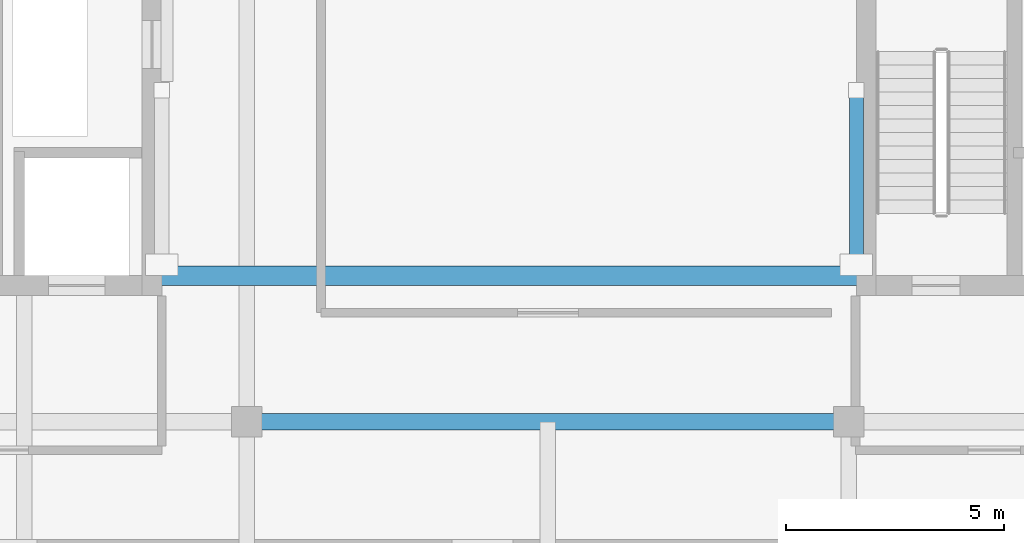
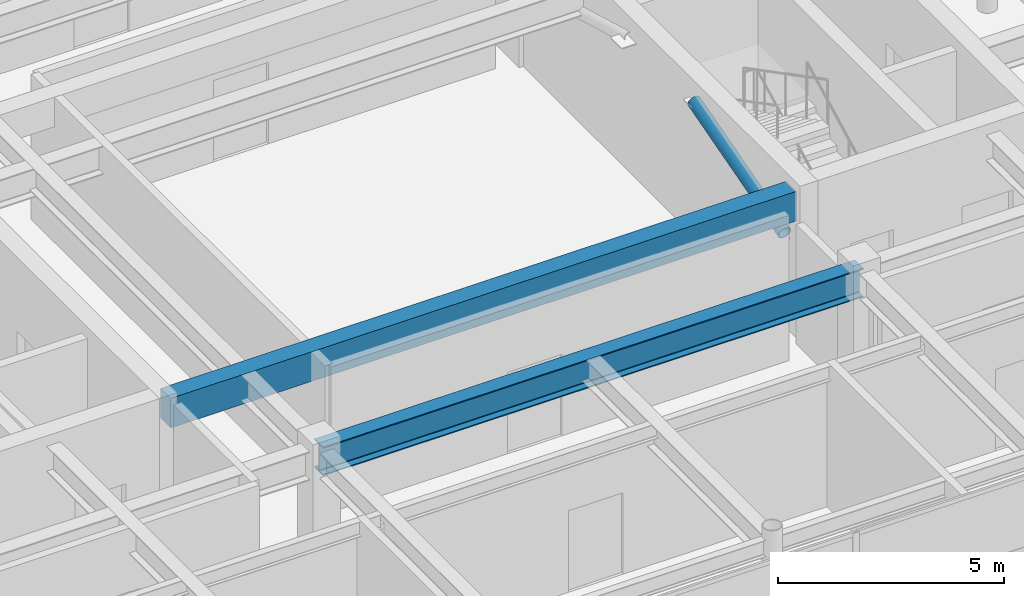
# One storey, part 10 of 33: 2 beams, 1 member.
"""IFC4 building model written with IfcOpenShell, lengths in metres."""

from ifc_helpers import new_model, si_unit, direction, frame, origin, origin_2d, place, context, subcontext, project, spatial, rectangle, hollow_circle, i_section, extrude, source, transform, mapped, material, material_profile, profile_set, type_object, element, save


model = new_model("IFC4")

# Units and contexts
model_context = context("Model", 3, precision=1e-05, world=origin(), true_north=direction((0.0, 1.0)))
body_context = subcontext(model_context, "Body", "Model", "MODEL_VIEW")
ifc_project = project(units=[si_unit("LENGTHUNIT", "METRE"), si_unit("AREAUNIT", "SQUARE_METRE"), si_unit("VOLUMEUNIT", "CUBIC_METRE"), si_unit("PLANEANGLEUNIT", "RADIAN"), si_unit("MASSUNIT", "GRAM", prefix="KILO")], contexts=[model_context])

# Site, building, storey
site_placement = place(None, origin())
site = spatial("IfcSite", under=ifc_project, at=site_placement, CompositionType="ELEMENT")
building_placement = place(site_placement, origin())
building = spatial("IfcBuilding", under=site, at=building_placement, Name="Khoralis Quay Care Tower", CompositionType="ELEMENT")
storey_placement = place(building_placement, frame((0.0, 0.0, 302.10009765625)))
storey = spatial("IfcBuildingStorey", under=building, at=storey_placement, Name="L79", CompositionType="ELEMENT", Elevation=302.10009765625)

# Beams
ifc_material_1 = material(Name="Concrete C50/60", Category="concrete")
ifc_material_profile_1 = material_profile(ifc_material_1, rectangle(XDim=0.449951171875, YDim=0.800048828125, at=origin_2d()), Name="Concrete C50/60")
ifc_profile_set_1 = profile_set([ifc_material_profile_1], Name="Concrete C50/60")
beam_type_1 = type_object("IfcBeamType", Name="CB-RC450X800", PredefinedType="LINTEL", material=ifc_profile_set_1)
shared_shape_1 = source(origin(), body_context, "Body", "SweptSolid", [
    extrude(rectangle(XDim=0.449951171875, YDim=0.800048828125, at=origin_2d()), origin(), (0.0, 0.0, 1.0), 15.97998046875),
])
beam_1_placement = place(storey_placement, frame((15.1201171875, 15.35009765625, 3.52001953125), z_axis=(1.0, 0.0, 0.0), x_axis=(0.0, 1.0, 0.0)))
element("IfcBeam", 1, at=beam_1_placement, inside=storey, type_object=beam_type_1, Name="L79 South Core Coupling Lintel", PredefinedType="LINTEL", context=body_context, shape_type="MappedRepresentation", body=[
    mapped(shared_shape_1, transform((0.0, 0.0, 0.0), scale=1.0)),
])
ifc_material_2 = material(Name="Steel S355", Category="steel")
ifc_material_profile_2 = material_profile(ifc_material_2, i_section(OverallWidth=0.381103515625, OverallDepth=0.77294921875, WebThickness=0.0166015625, FlangeThickness=0.027587890625, FilletRadius=0.02197265625, at=origin_2d()), Name="Steel S355")
ifc_profile_set_2 = profile_set([ifc_material_profile_2], Name="Steel S355")
beam_type_2 = type_object("IfcBeamType", Name="BM-W760X257", PredefinedType="BEAM", material=ifc_profile_set_2)
shared_shape_2 = source(origin(), body_context, "Body", "SweptSolid", [
    extrude(i_section(OverallWidth=0.381103515625, OverallDepth=0.77294921875, WebThickness=0.0166015625, FlangeThickness=0.027587890625, FilletRadius=0.02197265625, at=origin_2d()), origin(), (0.0, 0.0, 1.0), 13.7998046875),
])
beam_2_placement = place(storey_placement, frame((17.10009765625, 12.0, 3.533447265625), z_axis=(1.0, 0.0, 0.0), x_axis=(0.0, 1.0, 0.0)))
element("IfcBeam", 2, at=beam_2_placement, inside=storey, type_object=beam_type_2, Name="BM-TGCC-L79-120", PredefinedType="BEAM", context=body_context, shape_type="MappedRepresentation", body=[
    mapped(shared_shape_2, transform((0.0, 0.0, 0.0), scale=1.0)),
])

# Member
ifc_material_profile_3 = material_profile(ifc_material_2, hollow_circle(Radius=0.161865234375, WallThickness=0.01611328125, at=origin_2d()), Name="Steel S355")
ifc_profile_set_3 = profile_set([ifc_material_profile_3], Name="Steel S355")
member_type = type_object("IfcMemberType", Name="ST-CHS323X16", PredefinedType="STRUT", material=ifc_profile_set_3)
shared_shape_3 = source(origin(), body_context, "Body", "SweptSolid", [
    extrude(hollow_circle(Radius=0.161865234375, WallThickness=0.01611328125, at=origin_2d()), origin(), (0.0, 0.0, 1.0), 4.156494140625),
])
member_placement = place(storey_placement, frame((31.072021484375, 15.60009765625, 2.52001953125), z_axis=(0.0, 0.962344148942, 0.2718340284), x_axis=(-1.0, 0.0, 0.0)))
element("IfcMember", 3, at=member_placement, inside=storey, type_object=member_type, Name="L79 Lantern Diagrid Strut 3", PredefinedType="STRUT", context=body_context, shape_type="MappedRepresentation", body=[
    mapped(shared_shape_3, transform((0.0, 0.0, 0.0), scale=1.0)),
])

save(model, "model.ifc")
